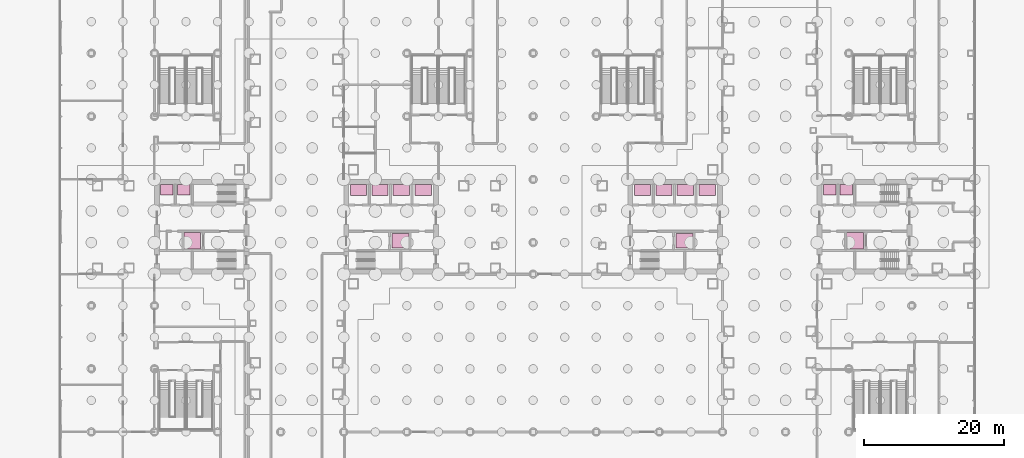
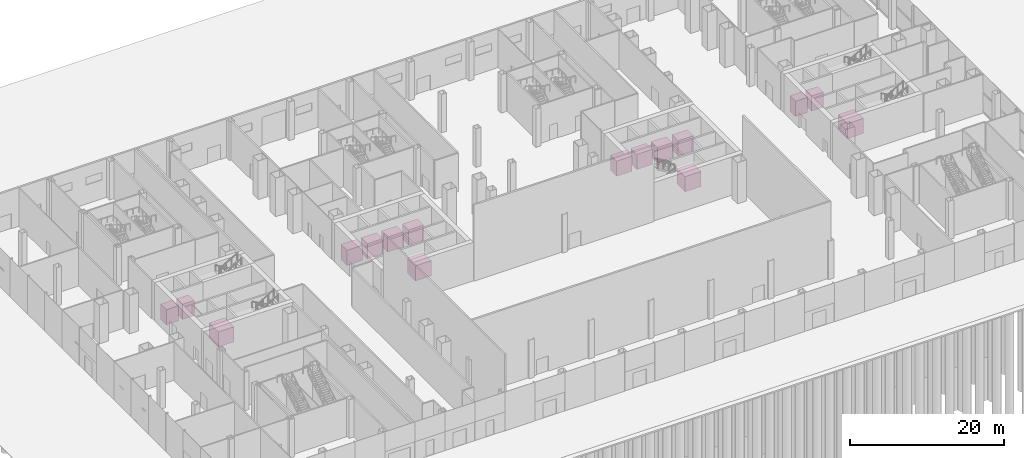
# One storey, part 37 of 37: 16 transport elements.
"""IFC4 building model written with IfcOpenShell, lengths in metres."""

from ifc_helpers import new_model, si_unit, direction, frame, origin, origin_2d, place, context, subcontext, project, spatial, rectangle, extrude, material, type_object, element, save


model = new_model("IFC4")

# Units and contexts
model_context = context("Model", 3, precision=1e-05, world=origin(), true_north=direction((0.0, 1.0)))
body_context = subcontext(model_context, "Body", "Model", "MODEL_VIEW")
ifc_project = project(units=[si_unit("LENGTHUNIT", "METRE"), si_unit("AREAUNIT", "SQUARE_METRE"), si_unit("VOLUMEUNIT", "CUBIC_METRE"), si_unit("PLANEANGLEUNIT", "RADIAN"), si_unit("MASSUNIT", "GRAM", prefix="KILO")], contexts=[model_context])

# Site, building, storey
site_placement = place(None, origin())
site = spatial("IfcSite", under=ifc_project, at=site_placement, CompositionType="ELEMENT")
building_placement = place(site_placement, origin())
building = spatial("IfcBuilding", under=site, at=building_placement, Name="Shamsa Quay Exchange Towers", CompositionType="ELEMENT")
storey_placement = place(building_placement, origin())
storey = spatial("IfcBuildingStorey", under=building, at=storey_placement, Name="L00", CompositionType="ELEMENT", Elevation=0.0)

# Transport elements
ifc_material_1 = material(Name="Stainless steel", Category="steel")
transport_element_type_1 = type_object("IfcTransportElementType", Name="FIRE SERVICE AND GOODS LIFT CAR 2400x2400", PredefinedType="ELEVATOR", material=ifc_material_1)
for number, where, name in (
    (1, (-48.60009765625, -2.0, 0.0), "Fire Service and Goods Lift FL2"),
    (2, (45.89990234375, -2.0, 0.0), "Fire Service and Goods Lift FL4"),
):
    element("IfcTransportElement", number, at=place(storey_placement, frame(where)), inside=storey, type_object=transport_element_type_1, Name=name, PredefinedType="ELEVATOR", context=body_context, shape_type="SweptSolid", body=[
        extrude(rectangle(XDim=2.39990234375, YDim=2.39990234375, at=origin_2d()), origin(), (0.0, 0.0, 1.0), 2.39990234375),
    ])
transport_element_type_2 = type_object("IfcTransportElementType", Name="FIRE SERVICE LIFT CAR 2100x2400", PredefinedType="ELEVATOR", material=ifc_material_1)
for number, where, name in (
    (3, (-18.89990234375, -2.0, 0.0), "Fire Service Lift FL1"),
    (4, (21.60009765625, -2.0, 0.0), "Fire Service Lift FL3"),
):
    element("IfcTransportElement", number, at=place(storey_placement, frame(where)), inside=storey, type_object=transport_element_type_2, Name=name, PredefinedType="ELEVATOR", context=body_context, shape_type="SweptSolid", body=[
        extrude(rectangle(XDim=2.39990234375, YDim=2.10009765625, at=origin_2d()), origin(), (0.0, 0.0, 1.0), 2.39990234375),
    ])
ifc_material_2 = material(Name="Stainless steel and glass", Category="steel")
transport_element_type_3 = type_object("IfcTransportElementType", Name="PASSENGER LIFT CAR 1800x1500", PredefinedType="ELEVATOR", material=ifc_material_2)
for number, where, name in (
    (5, (-49.824951171875, 5.300048828125, 0.0), "Low-rise Passenger Lift LR3"),
    (6, (-52.22509765625, 5.300048828125, 0.0), "High-rise Passenger Lift HR3"),
    (7, (44.675048828125, 5.300048828125, 0.0), "Low-rise Passenger Lift LR6"),
    (8, (42.27490234375, 5.300048828125, 0.0), "High-rise Passenger Lift HR6"),
):
    element("IfcTransportElement", number, at=place(storey_placement, frame(where)), inside=storey, type_object=transport_element_type_3, Name=name, PredefinedType="ELEVATOR", context=body_context, shape_type="SweptSolid", body=[
        extrude(rectangle(XDim=1.800048828125, YDim=1.5, at=origin_2d()), origin(), (0.0, 0.0, 1.0), 2.39990234375),
    ])
transport_element_type_4 = type_object("IfcTransportElementType", Name="PASSENGER LIFT CAR 2300x1600", PredefinedType="ELEVATOR", material=ifc_material_2)
for number, where, name in (
    (9, (-24.89990234375, 5.25, 0.0), "Low-rise Passenger Lift LR1"),
    (10, (-21.85009765625, 5.25, 0.0), "Low-rise Passenger Lift LR2"),
    (11, (-18.800048828125, 5.25, 0.0), "High-rise Passenger Lift HR1"),
    (12, (-15.675048828125, 5.25, 0.0), "High-rise Passenger Lift HR2"),
    (13, (15.60009765625, 5.25, 0.0), "Low-rise Passenger Lift LR4"),
    (14, (18.64990234375, 5.25, 0.0), "Low-rise Passenger Lift LR5"),
    (15, (21.699951171875, 5.25, 0.0), "High-rise Passenger Lift HR4"),
    (16, (24.824951171875, 5.25, 0.0), "High-rise Passenger Lift HR5"),
):
    element("IfcTransportElement", number, at=place(storey_placement, frame(where)), inside=storey, type_object=transport_element_type_4, Name=name, PredefinedType="ELEVATOR", context=body_context, shape_type="SweptSolid", body=[
        extrude(rectangle(XDim=2.300048828125, YDim=1.60009765625, at=origin_2d()), origin(), (0.0, 0.0, 1.0), 2.39990234375),
    ])

save(model, "model.ifc")
